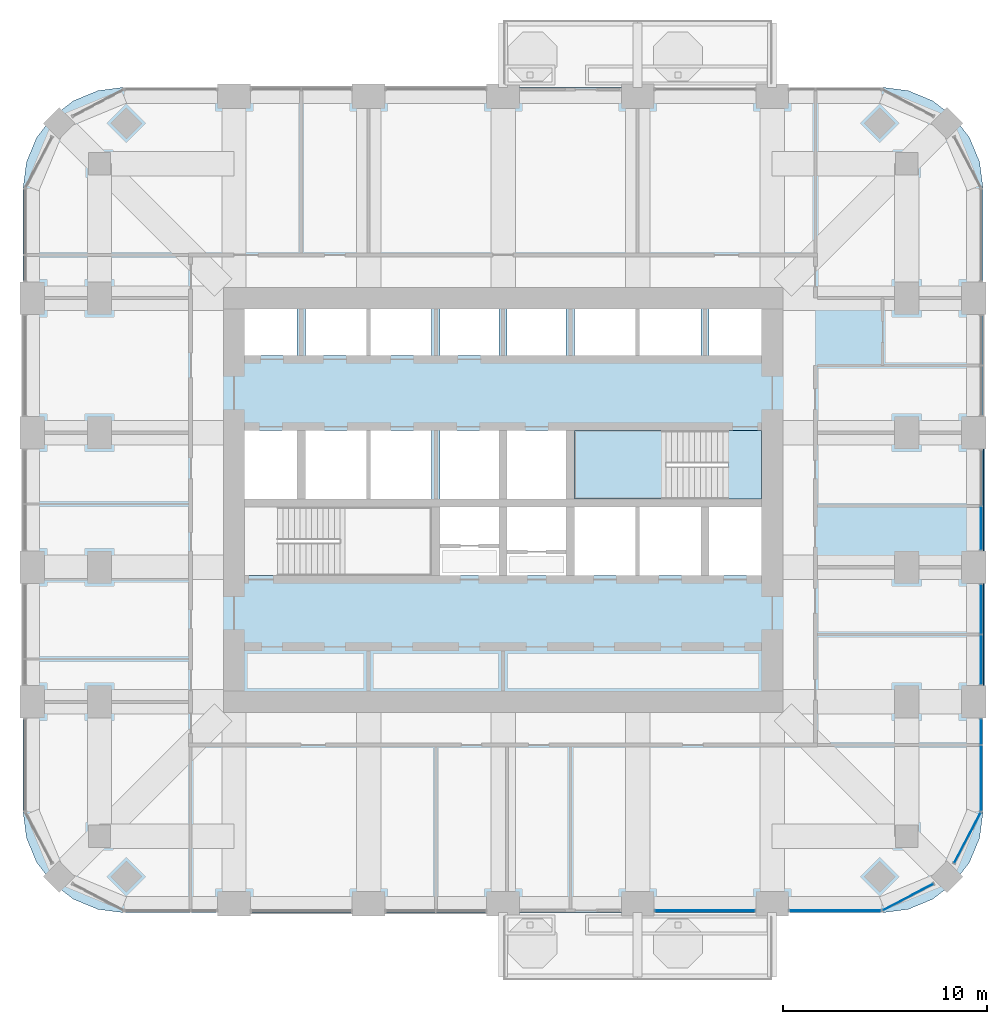
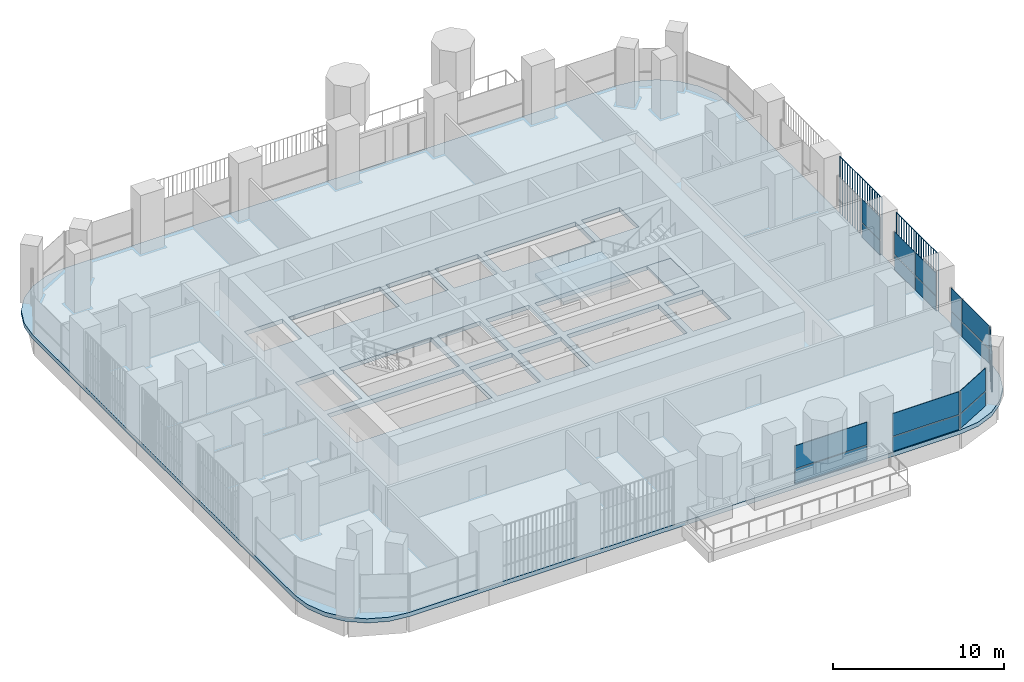
# One storey, part 10 of 19: 20 plates, 3 slabs, 8 elements without a shape of their own.
"""IFC4 building model written with IfcOpenShell, lengths in metres."""

from ifc_helpers import new_model, si_unit, direction, frame, origin, origin_2d, place, context, subcontext, project, spatial, polyline, rectangle, outline, extrude, material, layer, layer_set, type_object, element, aggregate, save


model = new_model("IFC4")

# Units and contexts
model_context = context("Model", 3, precision=1e-05, world=origin(), true_north=direction((0.0, 1.0)))
body_context = subcontext(model_context, "Body", "Model", "MODEL_VIEW")
ifc_project = project(units=[si_unit("LENGTHUNIT", "METRE"), si_unit("AREAUNIT", "SQUARE_METRE"), si_unit("VOLUMEUNIT", "CUBIC_METRE"), si_unit("PLANEANGLEUNIT", "RADIAN"), si_unit("MASSUNIT", "GRAM", prefix="KILO")], contexts=[model_context])

# Site, building, storey
site_placement = place(None, origin())
site = spatial("IfcSite", under=ifc_project, at=site_placement, CompositionType="ELEMENT")
building_placement = place(site_placement, origin())
building = spatial("IfcBuilding", under=site, at=building_placement, Name="Cobogo Forest Laboratory Tower", CompositionType="ELEMENT")
storey_placement = place(building_placement, frame((0.0, 0.0, 197.699951171875)))
storey = spatial("IfcBuildingStorey", under=building, at=storey_placement, Name="L45", CompositionType="ELEMENT", Elevation=197.699951171875)

# Slab
ifc_material_1 = material(Name="Concrete HA-40 (C40/50)", Category="concrete")
ifc_layer_1 = layer(ifc_material_1, 0.300048828125)
ifc_layer_set_1 = layer_set([ifc_layer_1], Name="Floor slab 300")
slab_type_1 = type_object("IfcSlabType", Name="Floor slab 300", PredefinedType="FLOOR", material=ifc_layer_set_1)
slab_1_placement = place(storey_placement, frame((0.0, 0.0, -0.300048828125)))
element("IfcSlab", 1, at=slab_1_placement, inside=storey, type_object=slab_type_1, Name="L45 floor slab", PredefinedType="FLOOR", context=body_context, shape_type="SweptSolid", body=[
    extrude(outline(polyline([(45.0, 2.85009765625), (46.28125, 3.0185546875), (47.47509765625, 3.51318359375), (48.500244140625, 4.2998046875), (49.286865234375, 5.324951171875), (49.78125, 6.518798828125), (49.949951171875, 7.800048828125), (49.949951171875, 38.39990234375), (49.78125, 39.68115234375), (49.286865234375, 40.875), (48.500244140625, 41.900146484375), (47.47509765625, 42.686767578125), (46.28125, 43.181396484375), (45.0, 43.35009765625), (7.800048828125, 43.35009765625), (6.518798828125, 43.181396484375), (5.324951171875, 42.686767578125), (4.2998046875, 41.900146484375), (3.51318359375, 40.875), (3.0185546875, 39.68115234375), (2.85009765625, 38.39990234375), (2.85009765625, 7.800048828125), (3.0185546875, 6.518798828125), (3.51318359375, 5.324951171875), (4.2998046875, 4.2998046875), (5.324951171875, 3.51318359375), (6.518798828125, 3.0185546875), (7.800048828125, 2.85009765625), (45.0, 2.85009765625)]), holes=[polyline([(22.89990234375, 19.39990234375), (13.72509765625, 19.39990234375), (13.72509765625, 22.75), (22.89990234375, 22.75), (22.89990234375, 19.39990234375)]), polyline([(26.199951171875, 19.39990234375), (23.300048828125, 19.39990234375), (23.300048828125, 22.75), (26.199951171875, 22.75), (26.199951171875, 19.39990234375)]), polyline([(29.5, 19.39990234375), (26.60009765625, 19.39990234375), (26.60009765625, 22.75), (29.5, 22.75), (29.5, 19.39990234375)]), polyline([(36.10009765625, 22.75), (36.10009765625, 19.39990234375), (29.89990234375, 19.39990234375), (29.89990234375, 22.75), (36.10009765625, 22.75)]), polyline([(36.5, 19.39990234375), (36.5, 22.75), (39.074951171875, 22.75), (39.074951171875, 19.39990234375), (36.5, 19.39990234375)]), polyline([(16.300048828125, 23.14990234375), (13.72509765625, 23.14990234375), (13.72509765625, 26.5), (16.300048828125, 26.5), (16.300048828125, 23.14990234375)]), polyline([(22.89990234375, 26.5), (22.89990234375, 23.14990234375), (16.699951171875, 23.14990234375), (16.699951171875, 26.5), (22.89990234375, 26.5)]), polyline([(26.199951171875, 23.14990234375), (23.300048828125, 23.14990234375), (23.300048828125, 26.5), (26.199951171875, 26.5), (26.199951171875, 23.14990234375)]), polyline([(26.60009765625, 23.14990234375), (26.60009765625, 26.5), (29.5, 26.5), (29.5, 23.14990234375), (26.60009765625, 23.14990234375)]), polyline([(39.074951171875, 23.14990234375), (29.89990234375, 23.14990234375), (29.89990234375, 26.5), (39.074951171875, 26.5), (39.074951171875, 23.14990234375)]), polyline([(16.300048828125, 30.199951171875), (13.72509765625, 30.199951171875), (13.72509765625, 32.47509765625), (16.300048828125, 32.47509765625), (16.300048828125, 30.199951171875)]), polyline([(22.89990234375, 32.47509765625), (22.89990234375, 30.199951171875), (16.699951171875, 30.199951171875), (16.699951171875, 32.47509765625), (22.89990234375, 32.47509765625)]), polyline([(23.300048828125, 30.199951171875), (23.300048828125, 32.47509765625), (26.199951171875, 32.47509765625), (26.199951171875, 30.199951171875), (23.300048828125, 30.199951171875)]), polyline([(29.5, 30.199951171875), (26.60009765625, 30.199951171875), (26.60009765625, 32.47509765625), (29.5, 32.47509765625), (29.5, 30.199951171875)]), polyline([(36.10009765625, 32.47509765625), (36.10009765625, 30.199951171875), (29.89990234375, 30.199951171875), (29.89990234375, 32.47509765625), (36.10009765625, 32.47509765625)]), polyline([(36.5, 30.199951171875), (36.5, 32.47509765625), (39.074951171875, 32.47509765625), (39.074951171875, 30.199951171875), (36.5, 30.199951171875)])]), origin(), (0.0, 0.0, 1.0), 0.300048828125),
])

# Curtain wall, plates
ifc_material_2 = material(Name="Aluminium curtain wall", Category="aluminium")
curtain_wall_type = type_object("IfcCurtainWallType", Name="CW-2 unitised curtain wall, solar control glazing, laboratory floors zones C and D", PredefinedType="USERDEFINED", material=ifc_material_2)
curtain_wall_1_placement = place(storey_placement, origin())
curtain_wall_1 = element("IfcCurtainWall", 2, at=curtain_wall_1_placement, inside=storey, type_object=curtain_wall_type, Name="Curtain wall 05 L45", ObjectType="UNITISED CURTAIN WALL", PredefinedType="USERDEFINED")
ifc_material_3 = material(Name="Solar control insulated glass", Category="glass")
ifc_layer_2 = layer(ifc_material_3, 0.031982421875)
ifc_layer_set_2 = layer_set([ifc_layer_2], Name="GP-2 solar control glass unit 32")
plate_type_1 = type_object("IfcPlateType", Name="GP-2 solar control glass unit 32", PredefinedType="CURTAIN_PANEL", material=ifc_layer_set_2)
plate_1_placement = place(storey_placement, frame((36.300048828125, 2.949951171875, 0.0), z_axis=(0.0, 0.0, 1.0), x_axis=(1.0, 0.0, 0.0)))
plate_1 = element("IfcPlate", 3, at=plate_1_placement, type_object=plate_type_1, Name="CW-2 panel 1.1", PredefinedType="CURTAIN_PANEL", context=body_context, shape_type="SweptSolid", body=[
    extrude(rectangle(XDim=4.8798828125, YDim=0.031982421875, at=origin_2d()), origin(), (0.0, 0.0, 1.0), 1.02001953125),
])
plate_2_placement = place(storey_placement, frame((36.300048828125, 2.949951171875, 1.080078125), z_axis=(0.0, 0.0, 1.0), x_axis=(1.0, 0.0, 0.0)))
plate_2 = element("IfcPlate", 4, at=plate_2_placement, type_object=plate_type_1, Name="CW-2 panel 1.2", PredefinedType="CURTAIN_PANEL", context=body_context, shape_type="SweptSolid", body=[
    extrude(rectangle(XDim=4.8798828125, YDim=0.031982421875, at=origin_2d()), origin(), (0.0, 0.0, 1.0), 1.6201171875),
])
aggregate(curtain_wall_1, [plate_1, plate_2])

curtain_wall_2_placement = place(storey_placement, origin())
curtain_wall_2 = element("IfcCurtainWall", 5, at=curtain_wall_2_placement, inside=storey, type_object=curtain_wall_type, Name="Curtain wall 06 L45", ObjectType="UNITISED CURTAIN WALL", PredefinedType="USERDEFINED")
plate_3_placement = place(storey_placement, frame((42.699951171875, 2.949951171875, 0.0), z_axis=(0.0, 0.0, 1.0), x_axis=(1.0, 0.0, 0.0)))
plate_3 = element("IfcPlate", 6, at=plate_3_placement, type_object=plate_type_1, Name="CW-2 panel 1.1", PredefinedType="CURTAIN_PANEL", context=body_context, shape_type="SweptSolid", body=[
    extrude(rectangle(XDim=4.47998046875, YDim=0.031982421875, at=origin_2d()), origin(), (0.0, 0.0, 1.0), 1.02001953125),
])
plate_4_placement = place(storey_placement, frame((42.699951171875, 2.949951171875, 1.080078125), z_axis=(0.0, 0.0, 1.0), x_axis=(1.0, 0.0, 0.0)))
plate_4 = element("IfcPlate", 7, at=plate_4_placement, type_object=plate_type_1, Name="CW-2 panel 1.2", PredefinedType="CURTAIN_PANEL", context=body_context, shape_type="SweptSolid", body=[
    extrude(rectangle(XDim=4.47998046875, YDim=0.031982421875, at=origin_2d()), origin(), (0.0, 0.0, 1.0), 1.6201171875),
])
aggregate(curtain_wall_2, [plate_3, plate_4])

curtain_wall_3_placement = place(storey_placement, origin())
curtain_wall_3 = element("IfcCurtainWall", 8, at=curtain_wall_3_placement, inside=storey, type_object=curtain_wall_type, Name="Curtain wall 07 L45", ObjectType="UNITISED CURTAIN WALL", PredefinedType="USERDEFINED")
plate_5_placement = place(storey_placement, frame((46.275634765625, 3.61865234375, 0.0), z_axis=(0.0, 0.0, 1.0), x_axis=(0.885686484356, 0.464283804832, 0.0)))
plate_5 = element("IfcPlate", 9, at=plate_5_placement, type_object=plate_type_1, Name="CW-2 panel 1.1", PredefinedType="CURTAIN_PANEL", context=body_context, shape_type="SweptSolid", body=[
    extrude(rectangle(XDim=2.76025390625, YDim=0.031982421875, at=origin_2d()), origin(), (0.0, 0.0, 1.0), 1.02001953125),
])
plate_6_placement = place(storey_placement, frame((46.275634765625, 3.61865234375, 1.080078125), z_axis=(0.0, 0.0, 1.0), x_axis=(0.885686484356, 0.464283804832, 0.0)))
plate_6 = element("IfcPlate", 10, at=plate_6_placement, type_object=plate_type_1, Name="CW-2 panel 1.2", PredefinedType="CURTAIN_PANEL", context=body_context, shape_type="SweptSolid", body=[
    extrude(rectangle(XDim=2.76025390625, YDim=0.031982421875, at=origin_2d()), origin(), (0.0, 0.0, 1.0), 1.6201171875),
])
aggregate(curtain_wall_3, [plate_5, plate_6])

curtain_wall_4_placement = place(storey_placement, origin())
curtain_wall_4 = element("IfcCurtainWall", 11, at=curtain_wall_4_placement, inside=storey, type_object=curtain_wall_type, Name="Curtain wall 08 L45", ObjectType="UNITISED CURTAIN WALL", PredefinedType="USERDEFINED")
plate_7_placement = place(storey_placement, frame((49.181396484375, 6.5244140625, 0.0), z_axis=(0.0, 0.0, 1.0), x_axis=(0.464283804832, 0.885686484356, 0.0)))
plate_7 = element("IfcPlate", 12, at=plate_7_placement, type_object=plate_type_1, Name="CW-2 panel 1.1", PredefinedType="CURTAIN_PANEL", context=body_context, shape_type="SweptSolid", body=[
    extrude(rectangle(XDim=2.76025390625, YDim=0.031982421875, at=origin_2d()), origin(), (0.0, 0.0, 1.0), 1.02001953125),
])
plate_8_placement = place(storey_placement, frame((49.181396484375, 6.5244140625, 1.080078125), z_axis=(0.0, 0.0, 1.0), x_axis=(0.464283804832, 0.885686484356, 0.0)))
plate_8 = element("IfcPlate", 13, at=plate_8_placement, type_object=plate_type_1, Name="CW-2 panel 1.2", PredefinedType="CURTAIN_PANEL", context=body_context, shape_type="SweptSolid", body=[
    extrude(rectangle(XDim=2.76025390625, YDim=0.031982421875, at=origin_2d()), origin(), (0.0, 0.0, 1.0), 1.6201171875),
])
aggregate(curtain_wall_4, [plate_7, plate_8])

curtain_wall_5_placement = place(storey_placement, origin())
curtain_wall_5 = element("IfcCurtainWall", 14, at=curtain_wall_5_placement, inside=storey, type_object=curtain_wall_type, Name="Curtain wall 09 L45", ObjectType="UNITISED CURTAIN WALL", PredefinedType="USERDEFINED")
plate_9_placement = place(storey_placement, frame((49.85009765625, 9.452392578125, 0.0), z_axis=(0.0, 0.0, 1.0), x_axis=(0.0, 1.0, 0.0)))
plate_9 = element("IfcPlate", 15, at=plate_9_placement, type_object=plate_type_1, Name="CW-2 panel 1.1", PredefinedType="CURTAIN_PANEL", context=body_context, shape_type="SweptSolid", body=[
    extrude(rectangle(XDim=3.18505859375, YDim=0.031982421875, at=origin_2d()), origin(), (0.0, 0.0, 1.0), 1.02001953125),
])
plate_10_placement = place(storey_placement, frame((49.85009765625, 9.452392578125, 1.080078125), z_axis=(0.0, 0.0, 1.0), x_axis=(0.0, 1.0, 0.0)))
plate_10 = element("IfcPlate", 16, at=plate_10_placement, type_object=plate_type_1, Name="CW-2 panel 1.2", PredefinedType="CURTAIN_PANEL", context=body_context, shape_type="SweptSolid", body=[
    extrude(rectangle(XDim=3.18505859375, YDim=0.031982421875, at=origin_2d()), origin(), (0.0, 0.0, 1.0), 1.6201171875),
])
plate_11_placement = place(storey_placement, frame((49.85009765625, 11.722412109375, 0.0), z_axis=(0.0, 0.0, 1.0), x_axis=(0.0, 1.0, 0.0)))
plate_11 = element("IfcPlate", 17, at=plate_11_placement, type_object=plate_type_1, Name="CW-2 panel 2.1", PredefinedType="CURTAIN_PANEL", context=body_context, shape_type="SweptSolid", body=[
    extrude(rectangle(XDim=1.235107421875, YDim=0.031982421875, at=origin_2d()), origin(), (0.0, 0.0, 1.0), 1.02001953125),
])
plate_12_placement = place(storey_placement, frame((49.85009765625, 11.722412109375, 1.080078125), z_axis=(0.0, 0.0, 1.0), x_axis=(0.0, 1.0, 0.0)))
plate_12 = element("IfcPlate", 18, at=plate_12_placement, type_object=plate_type_1, Name="CW-2 panel 2.2", PredefinedType="CURTAIN_PANEL", context=body_context, shape_type="SweptSolid", body=[
    extrude(rectangle(XDim=1.235107421875, YDim=0.031982421875, at=origin_2d()), origin(), (0.0, 0.0, 1.0), 1.6201171875),
])
aggregate(curtain_wall_5, [plate_9, plate_10, plate_11, plate_12])

curtain_wall_6_placement = place(storey_placement, origin())
curtain_wall_6 = element("IfcCurtainWall", 19, at=curtain_wall_6_placement, inside=storey, type_object=curtain_wall_type, Name="Curtain wall 10 L45", ObjectType="UNITISED CURTAIN WALL", PredefinedType="USERDEFINED")
plate_13_placement = place(storey_placement, frame((49.85009765625, 15.264892578125, 0.0), z_axis=(0.0, 0.0, 1.0), x_axis=(0.0, 1.0, 0.0)))
plate_13 = element("IfcPlate", 20, at=plate_13_placement, type_object=plate_type_1, Name="CW-2 panel 1.1", PredefinedType="CURTAIN_PANEL", context=body_context, shape_type="SweptSolid", body=[
    extrude(rectangle(XDim=2.409912109375, YDim=0.031982421875, at=origin_2d()), origin(), (0.0, 0.0, 1.0), 1.02001953125),
])
plate_14_placement = place(storey_placement, frame((49.85009765625, 15.264892578125, 1.080078125), z_axis=(0.0, 0.0, 1.0), x_axis=(0.0, 1.0, 0.0)))
plate_14 = element("IfcPlate", 21, at=plate_14_placement, type_object=plate_type_1, Name="CW-2 panel 1.2", PredefinedType="CURTAIN_PANEL", context=body_context, shape_type="SweptSolid", body=[
    extrude(rectangle(XDim=2.409912109375, YDim=0.031982421875, at=origin_2d()), origin(), (0.0, 0.0, 1.0), 1.6201171875),
])
plate_15_placement = place(storey_placement, frame((49.85009765625, 17.735107421875, 0.0), z_axis=(0.0, 0.0, 1.0), x_axis=(0.0, 1.0, 0.0)))
plate_15 = element("IfcPlate", 22, at=plate_15_placement, type_object=plate_type_1, Name="CW-2 panel 2.1", PredefinedType="CURTAIN_PANEL", context=body_context, shape_type="SweptSolid", body=[
    extrude(rectangle(XDim=2.409912109375, YDim=0.031982421875, at=origin_2d()), origin(), (0.0, 0.0, 1.0), 1.02001953125),
])
plate_16_placement = place(storey_placement, frame((49.85009765625, 17.735107421875, 1.080078125), z_axis=(0.0, 0.0, 1.0), x_axis=(0.0, 1.0, 0.0)))
plate_16 = element("IfcPlate", 23, at=plate_16_placement, type_object=plate_type_1, Name="CW-2 panel 2.2", PredefinedType="CURTAIN_PANEL", context=body_context, shape_type="SweptSolid", body=[
    extrude(rectangle(XDim=2.409912109375, YDim=0.031982421875, at=origin_2d()), origin(), (0.0, 0.0, 1.0), 1.6201171875),
])
aggregate(curtain_wall_6, [plate_13, plate_14, plate_15, plate_16])

curtain_wall_7_placement = place(storey_placement, origin())
curtain_wall_7 = element("IfcCurtainWall", 24, at=curtain_wall_7_placement, inside=storey, type_object=curtain_wall_type, Name="Curtain wall 11 L45", ObjectType="UNITISED CURTAIN WALL", PredefinedType="USERDEFINED")
plate_17_placement = place(storey_placement, frame((49.85009765625, 21.715087890625, 0.0), z_axis=(0.0, 0.0, 1.0), x_axis=(0.0, 1.0, 0.0)))
plate_17 = element("IfcPlate", 25, at=plate_17_placement, type_object=plate_type_1, Name="CW-2 panel 1.1", PredefinedType="CURTAIN_PANEL", context=body_context, shape_type="SweptSolid", body=[
    extrude(rectangle(XDim=2.110107421875, YDim=0.031982421875, at=origin_2d()), origin(), (0.0, 0.0, 1.0), 1.02001953125),
])
plate_18_placement = place(storey_placement, frame((49.85009765625, 21.715087890625, 1.080078125), z_axis=(0.0, 0.0, 1.0), x_axis=(0.0, 1.0, 0.0)))
plate_18 = element("IfcPlate", 26, at=plate_18_placement, type_object=plate_type_1, Name="CW-2 panel 1.2", PredefinedType="CURTAIN_PANEL", context=body_context, shape_type="SweptSolid", body=[
    extrude(rectangle(XDim=2.110107421875, YDim=0.031982421875, at=origin_2d()), origin(), (0.0, 0.0, 1.0), 1.6201171875),
])
aggregate(curtain_wall_7, [plate_17, plate_18])

# Stair, slabs
ifc_material_4 = material(Name="Precast concrete HA-40 (C40/50)", Category="concrete")
stair_type = type_object("IfcStairType", Name="ST24 exit stair 24 risers", PredefinedType="HALF_TURN_STAIR", material=ifc_material_4)
stair_placement = place(storey_placement, origin())
stair = element("IfcStair", 27, at=stair_placement, inside=storey, type_object=stair_type, Name="Stair 2 L45 to L46", PredefinedType="HALF_TURN_STAIR")
ifc_layer_3 = layer(ifc_material_1, 0.199951171875)
ifc_layer_set_3 = layer_set([ifc_layer_3], Name="SL stair landing 200")
slab_type_2 = type_object("IfcSlabType", Name="SL stair landing 200", PredefinedType="LANDING", material=ifc_layer_set_3)
slab_2_placement = place(storey_placement, frame((0.0, 0.0, -0.199951171875)))
slab_2 = element("IfcSlab", 28, at=slab_2_placement, type_object=slab_type_2, Name="ST2 landing 1", PredefinedType="LANDING", context=body_context, shape_type="SweptSolid", body=[
    extrude(outline(polyline([(37.472900390625, 23.14990234375), (39.074951171875, 23.14990234375), (39.074951171875, 26.5), (37.472900390625, 26.5), (37.472900390625, 23.14990234375)])), origin(), (0.0, 0.0, 1.0), 0.199951171875),
])
slab_3_placement = place(storey_placement, frame((0.0, 0.0, 1.900146484375)))
slab_3 = element("IfcSlab", 29, at=slab_3_placement, type_object=slab_type_2, Name="ST2 landing 2", PredefinedType="LANDING", context=body_context, shape_type="SweptSolid", body=[
    extrude(outline(polyline([(29.89990234375, 23.14990234375), (34.39697265625, 23.14990234375), (34.39697265625, 26.5), (29.89990234375, 26.5), (29.89990234375, 23.14990234375)])), origin(), (0.0, 0.0, 1.0), 0.199951171875),
])
aggregate(stair, [slab_2, slab_3])

# Plates
ifc_material_5 = material(Name="Terracotta", Category="masonry")
plate_type_2 = type_object("IfcPlateType", Name="TB1 terracotta baguette screen", PredefinedType="USERDEFINED", material=ifc_material_5)
plate_19_placement = place(storey_placement, frame((49.977783203125, 14.03125, -0.14990234375)))
element("IfcPlate", 30, at=plate_19_placement, inside=storey, type_object=plate_type_2, Name="Baguette screen E1 L45", ObjectType="BAGUETTE SCREEN", PredefinedType="USERDEFINED", context=body_context, shape_type="SweptSolid", body=[
    extrude(outline(polyline([(0.02880859375, 0.011962890625), (0.011962890625, 0.02880859375), (-0.011962890625, 0.02880859375), (-0.02880859375, 0.011962890625), (-0.02880859375, -0.011962890625), (-0.011962890625, -0.02880859375), (0.011962890625, -0.02880859375), (0.02880859375, -0.011962890625), (0.02880859375, 0.011962890625)])), frame((0.0, 0.0, 4.168701171875), z_axis=(0.0, 1.0, 0.0), x_axis=(-1.0, 0.0, 0.0)), (0.0, 0.0, 1.0), 4.9375),
    extrude(outline(polyline([(0.02880859375, 0.011962890625), (0.011962890625, 0.02880859375), (-0.011962890625, 0.02880859375), (-0.02880859375, 0.011962890625), (-0.02880859375, -0.011962890625), (-0.011962890625, -0.02880859375), (0.011962890625, -0.02880859375), (0.02880859375, -0.011962890625), (0.02880859375, 0.011962890625)])), origin(), (0.0, 0.0, 1.0), 4.137451171875),
    extrude(outline(polyline([(0.02880859375, 0.011962890625), (0.011962890625, 0.02880859375), (-0.011962890625, 0.02880859375), (-0.02880859375, 0.011962890625), (-0.02880859375, -0.011962890625), (-0.011962890625, -0.02880859375), (0.011962890625, -0.02880859375), (0.02880859375, -0.011962890625), (0.02880859375, 0.011962890625)])), frame((0.0, 0.29052734375, 0.0)), (0.0, 0.0, 1.0), 4.137451171875),
    extrude(outline(polyline([(0.02880859375, 0.011962890625), (0.011962890625, 0.02880859375), (-0.011962890625, 0.02880859375), (-0.02880859375, 0.011962890625), (-0.02880859375, -0.011962890625), (-0.011962890625, -0.02880859375), (0.011962890625, -0.02880859375), (0.02880859375, -0.011962890625), (0.02880859375, 0.011962890625)])), frame((0.0, 0.580810546875, 0.0)), (0.0, 0.0, 1.0), 4.137451171875),
    extrude(outline(polyline([(0.02880859375, 0.011962890625), (0.011962890625, 0.02880859375), (-0.011962890625, 0.02880859375), (-0.02880859375, 0.011962890625), (-0.02880859375, -0.011962890625), (-0.011962890625, -0.02880859375), (0.011962890625, -0.02880859375), (0.02880859375, -0.011962890625), (0.02880859375, 0.011962890625)])), frame((0.0, 0.871337890625, 0.0)), (0.0, 0.0, 1.0), 4.137451171875),
    extrude(outline(polyline([(0.02880859375, 0.011962890625), (0.011962890625, 0.02880859375), (-0.011962890625, 0.02880859375), (-0.02880859375, 0.011962890625), (-0.02880859375, -0.011962890625), (-0.011962890625, -0.02880859375), (0.011962890625, -0.02880859375), (0.02880859375, -0.011962890625), (0.02880859375, 0.011962890625)])), frame((0.0, 1.161865234375, 0.0)), (0.0, 0.0, 1.0), 4.137451171875),
    extrude(outline(polyline([(0.02880859375, 0.011962890625), (0.011962890625, 0.02880859375), (-0.011962890625, 0.02880859375), (-0.02880859375, 0.011962890625), (-0.02880859375, -0.011962890625), (-0.011962890625, -0.02880859375), (0.011962890625, -0.02880859375), (0.02880859375, -0.011962890625), (0.02880859375, 0.011962890625)])), frame((0.0, 1.4521484375, 0.0)), (0.0, 0.0, 1.0), 4.137451171875),
    extrude(outline(polyline([(0.02880859375, 0.011962890625), (0.011962890625, 0.02880859375), (-0.011962890625, 0.02880859375), (-0.02880859375, 0.011962890625), (-0.02880859375, -0.011962890625), (-0.011962890625, -0.02880859375), (0.011962890625, -0.02880859375), (0.02880859375, -0.011962890625), (0.02880859375, 0.011962890625)])), frame((0.0, 1.74267578125, 0.0)), (0.0, 0.0, 1.0), 4.137451171875),
    extrude(outline(polyline([(0.02880859375, 0.011962890625), (0.011962890625, 0.02880859375), (-0.011962890625, 0.02880859375), (-0.02880859375, 0.011962890625), (-0.02880859375, -0.011962890625), (-0.011962890625, -0.02880859375), (0.011962890625, -0.02880859375), (0.02880859375, -0.011962890625), (0.02880859375, 0.011962890625)])), frame((0.0, 2.033203125, 0.0)), (0.0, 0.0, 1.0), 4.137451171875),
    extrude(outline(polyline([(0.02880859375, 0.011962890625), (0.011962890625, 0.02880859375), (-0.011962890625, 0.02880859375), (-0.02880859375, 0.011962890625), (-0.02880859375, -0.011962890625), (-0.011962890625, -0.02880859375), (0.011962890625, -0.02880859375), (0.02880859375, -0.011962890625), (0.02880859375, 0.011962890625)])), frame((0.0, 2.323486328125, 0.0)), (0.0, 0.0, 1.0), 4.137451171875),
    extrude(outline(polyline([(0.02880859375, 0.011962890625), (0.011962890625, 0.02880859375), (-0.011962890625, 0.02880859375), (-0.02880859375, 0.011962890625), (-0.02880859375, -0.011962890625), (-0.011962890625, -0.02880859375), (0.011962890625, -0.02880859375), (0.02880859375, -0.011962890625), (0.02880859375, 0.011962890625)])), frame((0.0, 2.614013671875, 0.0)), (0.0, 0.0, 1.0), 4.137451171875),
    extrude(outline(polyline([(0.02880859375, 0.011962890625), (0.011962890625, 0.02880859375), (-0.011962890625, 0.02880859375), (-0.02880859375, 0.011962890625), (-0.02880859375, -0.011962890625), (-0.011962890625, -0.02880859375), (0.011962890625, -0.02880859375), (0.02880859375, -0.011962890625), (0.02880859375, 0.011962890625)])), frame((0.0, 2.904296875, 0.0)), (0.0, 0.0, 1.0), 4.137451171875),
    extrude(outline(polyline([(0.02880859375, 0.011962890625), (0.011962890625, 0.02880859375), (-0.011962890625, 0.02880859375), (-0.02880859375, 0.011962890625), (-0.02880859375, -0.011962890625), (-0.011962890625, -0.02880859375), (0.011962890625, -0.02880859375), (0.02880859375, -0.011962890625), (0.02880859375, 0.011962890625)])), frame((0.0, 3.19482421875, 0.0)), (0.0, 0.0, 1.0), 4.137451171875),
    extrude(outline(polyline([(0.02880859375, 0.011962890625), (0.011962890625, 0.02880859375), (-0.011962890625, 0.02880859375), (-0.02880859375, 0.011962890625), (-0.02880859375, -0.011962890625), (-0.011962890625, -0.02880859375), (0.011962890625, -0.02880859375), (0.02880859375, -0.011962890625), (0.02880859375, 0.011962890625)])), frame((0.0, 3.4853515625, 0.0)), (0.0, 0.0, 1.0), 4.137451171875),
    extrude(outline(polyline([(0.02880859375, 0.011962890625), (0.011962890625, 0.02880859375), (-0.011962890625, 0.02880859375), (-0.02880859375, 0.011962890625), (-0.02880859375, -0.011962890625), (-0.011962890625, -0.02880859375), (0.011962890625, -0.02880859375), (0.02880859375, -0.011962890625), (0.02880859375, 0.011962890625)])), frame((0.0, 3.775634765625, 0.0)), (0.0, 0.0, 1.0), 4.137451171875),
    extrude(outline(polyline([(0.02880859375, 0.011962890625), (0.011962890625, 0.02880859375), (-0.011962890625, 0.02880859375), (-0.02880859375, 0.011962890625), (-0.02880859375, -0.011962890625), (-0.011962890625, -0.02880859375), (0.011962890625, -0.02880859375), (0.02880859375, -0.011962890625), (0.02880859375, 0.011962890625)])), frame((0.0, 4.066162109375, 0.0)), (0.0, 0.0, 1.0), 4.137451171875),
    extrude(outline(polyline([(0.02880859375, 0.011962890625), (0.011962890625, 0.02880859375), (-0.011962890625, 0.02880859375), (-0.02880859375, 0.011962890625), (-0.02880859375, -0.011962890625), (-0.011962890625, -0.02880859375), (0.011962890625, -0.02880859375), (0.02880859375, -0.011962890625), (0.02880859375, 0.011962890625)])), frame((0.0, 4.356689453125, 0.0)), (0.0, 0.0, 1.0), 4.137451171875),
    extrude(outline(polyline([(0.02880859375, 0.011962890625), (0.011962890625, 0.02880859375), (-0.011962890625, 0.02880859375), (-0.02880859375, 0.011962890625), (-0.02880859375, -0.011962890625), (-0.011962890625, -0.02880859375), (0.011962890625, -0.02880859375), (0.02880859375, -0.011962890625), (0.02880859375, 0.011962890625)])), frame((0.0, 4.64697265625, 0.0)), (0.0, 0.0, 1.0), 4.137451171875),
    extrude(outline(polyline([(0.02880859375, 0.011962890625), (0.011962890625, 0.02880859375), (-0.011962890625, 0.02880859375), (-0.02880859375, 0.011962890625), (-0.02880859375, -0.011962890625), (-0.011962890625, -0.02880859375), (0.011962890625, -0.02880859375), (0.02880859375, -0.011962890625), (0.02880859375, 0.011962890625)])), frame((0.0, 4.9375, 0.0)), (0.0, 0.0, 1.0), 4.137451171875),
])
plate_20_placement = place(storey_placement, frame((49.977783203125, 20.63134765625, -0.14990234375)))
element("IfcPlate", 31, at=plate_20_placement, inside=storey, type_object=plate_type_2, Name="Baguette screen E2 L45", ObjectType="BAGUETTE SCREEN", PredefinedType="USERDEFINED", context=body_context, shape_type="SweptSolid", body=[
    extrude(outline(polyline([(0.02880859375, 0.011962890625), (0.011962890625, 0.02880859375), (-0.011962890625, 0.02880859375), (-0.02880859375, 0.011962890625), (-0.02880859375, -0.011962890625), (-0.011962890625, -0.02880859375), (0.011962890625, -0.02880859375), (0.02880859375, -0.011962890625), (0.02880859375, 0.011962890625)])), frame((0.0, 0.0, 4.168701171875), z_axis=(0.0, 1.0, 0.0), x_axis=(-1.0, 0.0, 0.0)), (0.0, 0.0, 1.0), 4.9375),
    extrude(outline(polyline([(0.02880859375, 0.011962890625), (0.011962890625, 0.02880859375), (-0.011962890625, 0.02880859375), (-0.02880859375, 0.011962890625), (-0.02880859375, -0.011962890625), (-0.011962890625, -0.02880859375), (0.011962890625, -0.02880859375), (0.02880859375, -0.011962890625), (0.02880859375, 0.011962890625)])), origin(), (0.0, 0.0, 1.0), 4.137451171875),
    extrude(outline(polyline([(0.02880859375, 0.011962890625), (0.011962890625, 0.02880859375), (-0.011962890625, 0.02880859375), (-0.02880859375, 0.011962890625), (-0.02880859375, -0.011962890625), (-0.011962890625, -0.02880859375), (0.011962890625, -0.02880859375), (0.02880859375, -0.011962890625), (0.02880859375, 0.011962890625)])), frame((0.0, 0.29052734375, 0.0)), (0.0, 0.0, 1.0), 4.137451171875),
    extrude(outline(polyline([(0.02880859375, 0.011962890625), (0.011962890625, 0.02880859375), (-0.011962890625, 0.02880859375), (-0.02880859375, 0.011962890625), (-0.02880859375, -0.011962890625), (-0.011962890625, -0.02880859375), (0.011962890625, -0.02880859375), (0.02880859375, -0.011962890625), (0.02880859375, 0.011962890625)])), frame((0.0, 0.580810546875, 0.0)), (0.0, 0.0, 1.0), 4.137451171875),
    extrude(outline(polyline([(0.02880859375, 0.011962890625), (0.011962890625, 0.02880859375), (-0.011962890625, 0.02880859375), (-0.02880859375, 0.011962890625), (-0.02880859375, -0.011962890625), (-0.011962890625, -0.02880859375), (0.011962890625, -0.02880859375), (0.02880859375, -0.011962890625), (0.02880859375, 0.011962890625)])), frame((0.0, 0.871337890625, 0.0)), (0.0, 0.0, 1.0), 4.137451171875),
    extrude(outline(polyline([(0.02880859375, 0.011962890625), (0.011962890625, 0.02880859375), (-0.011962890625, 0.02880859375), (-0.02880859375, 0.011962890625), (-0.02880859375, -0.011962890625), (-0.011962890625, -0.02880859375), (0.011962890625, -0.02880859375), (0.02880859375, -0.011962890625), (0.02880859375, 0.011962890625)])), frame((0.0, 1.161865234375, 0.0)), (0.0, 0.0, 1.0), 4.137451171875),
    extrude(outline(polyline([(0.02880859375, 0.011962890625), (0.011962890625, 0.02880859375), (-0.011962890625, 0.02880859375), (-0.02880859375, 0.011962890625), (-0.02880859375, -0.011962890625), (-0.011962890625, -0.02880859375), (0.011962890625, -0.02880859375), (0.02880859375, -0.011962890625), (0.02880859375, 0.011962890625)])), frame((0.0, 1.4521484375, 0.0)), (0.0, 0.0, 1.0), 4.137451171875),
    extrude(outline(polyline([(0.02880859375, 0.011962890625), (0.011962890625, 0.02880859375), (-0.011962890625, 0.02880859375), (-0.02880859375, 0.011962890625), (-0.02880859375, -0.011962890625), (-0.011962890625, -0.02880859375), (0.011962890625, -0.02880859375), (0.02880859375, -0.011962890625), (0.02880859375, 0.011962890625)])), frame((0.0, 1.74267578125, 0.0)), (0.0, 0.0, 1.0), 4.137451171875),
    extrude(outline(polyline([(0.02880859375, 0.011962890625), (0.011962890625, 0.02880859375), (-0.011962890625, 0.02880859375), (-0.02880859375, 0.011962890625), (-0.02880859375, -0.011962890625), (-0.011962890625, -0.02880859375), (0.011962890625, -0.02880859375), (0.02880859375, -0.011962890625), (0.02880859375, 0.011962890625)])), frame((0.0, 2.033203125, 0.0)), (0.0, 0.0, 1.0), 4.137451171875),
    extrude(outline(polyline([(0.02880859375, 0.011962890625), (0.011962890625, 0.02880859375), (-0.011962890625, 0.02880859375), (-0.02880859375, 0.011962890625), (-0.02880859375, -0.011962890625), (-0.011962890625, -0.02880859375), (0.011962890625, -0.02880859375), (0.02880859375, -0.011962890625), (0.02880859375, 0.011962890625)])), frame((0.0, 2.323486328125, 0.0)), (0.0, 0.0, 1.0), 4.137451171875),
    extrude(outline(polyline([(0.02880859375, 0.011962890625), (0.011962890625, 0.02880859375), (-0.011962890625, 0.02880859375), (-0.02880859375, 0.011962890625), (-0.02880859375, -0.011962890625), (-0.011962890625, -0.02880859375), (0.011962890625, -0.02880859375), (0.02880859375, -0.011962890625), (0.02880859375, 0.011962890625)])), frame((0.0, 2.614013671875, 0.0)), (0.0, 0.0, 1.0), 4.137451171875),
    extrude(outline(polyline([(0.02880859375, 0.011962890625), (0.011962890625, 0.02880859375), (-0.011962890625, 0.02880859375), (-0.02880859375, 0.011962890625), (-0.02880859375, -0.011962890625), (-0.011962890625, -0.02880859375), (0.011962890625, -0.02880859375), (0.02880859375, -0.011962890625), (0.02880859375, 0.011962890625)])), frame((0.0, 2.904296875, 0.0)), (0.0, 0.0, 1.0), 4.137451171875),
    extrude(outline(polyline([(0.02880859375, 0.011962890625), (0.011962890625, 0.02880859375), (-0.011962890625, 0.02880859375), (-0.02880859375, 0.011962890625), (-0.02880859375, -0.011962890625), (-0.011962890625, -0.02880859375), (0.011962890625, -0.02880859375), (0.02880859375, -0.011962890625), (0.02880859375, 0.011962890625)])), frame((0.0, 3.19482421875, 0.0)), (0.0, 0.0, 1.0), 4.137451171875),
    extrude(outline(polyline([(0.02880859375, 0.011962890625), (0.011962890625, 0.02880859375), (-0.011962890625, 0.02880859375), (-0.02880859375, 0.011962890625), (-0.02880859375, -0.011962890625), (-0.011962890625, -0.02880859375), (0.011962890625, -0.02880859375), (0.02880859375, -0.011962890625), (0.02880859375, 0.011962890625)])), frame((0.0, 3.4853515625, 0.0)), (0.0, 0.0, 1.0), 4.137451171875),
    extrude(outline(polyline([(0.02880859375, 0.011962890625), (0.011962890625, 0.02880859375), (-0.011962890625, 0.02880859375), (-0.02880859375, 0.011962890625), (-0.02880859375, -0.011962890625), (-0.011962890625, -0.02880859375), (0.011962890625, -0.02880859375), (0.02880859375, -0.011962890625), (0.02880859375, 0.011962890625)])), frame((0.0, 3.775634765625, 0.0)), (0.0, 0.0, 1.0), 4.137451171875),
    extrude(outline(polyline([(0.02880859375, 0.011962890625), (0.011962890625, 0.02880859375), (-0.011962890625, 0.02880859375), (-0.02880859375, 0.011962890625), (-0.02880859375, -0.011962890625), (-0.011962890625, -0.02880859375), (0.011962890625, -0.02880859375), (0.02880859375, -0.011962890625), (0.02880859375, 0.011962890625)])), frame((0.0, 4.066162109375, 0.0)), (0.0, 0.0, 1.0), 4.137451171875),
    extrude(outline(polyline([(0.02880859375, 0.011962890625), (0.011962890625, 0.02880859375), (-0.011962890625, 0.02880859375), (-0.02880859375, 0.011962890625), (-0.02880859375, -0.011962890625), (-0.011962890625, -0.02880859375), (0.011962890625, -0.02880859375), (0.02880859375, -0.011962890625), (0.02880859375, 0.011962890625)])), frame((0.0, 4.356689453125, 0.0)), (0.0, 0.0, 1.0), 4.137451171875),
    extrude(outline(polyline([(0.02880859375, 0.011962890625), (0.011962890625, 0.02880859375), (-0.011962890625, 0.02880859375), (-0.02880859375, 0.011962890625), (-0.02880859375, -0.011962890625), (-0.011962890625, -0.02880859375), (0.011962890625, -0.02880859375), (0.02880859375, -0.011962890625), (0.02880859375, 0.011962890625)])), frame((0.0, 4.64697265625, 0.0)), (0.0, 0.0, 1.0), 4.137451171875),
    extrude(outline(polyline([(0.02880859375, 0.011962890625), (0.011962890625, 0.02880859375), (-0.011962890625, 0.02880859375), (-0.02880859375, 0.011962890625), (-0.02880859375, -0.011962890625), (-0.011962890625, -0.02880859375), (0.011962890625, -0.02880859375), (0.02880859375, -0.011962890625), (0.02880859375, 0.011962890625)])), frame((0.0, 4.9375, 0.0)), (0.0, 0.0, 1.0), 4.137451171875),
])

save(model, "model.ifc")
